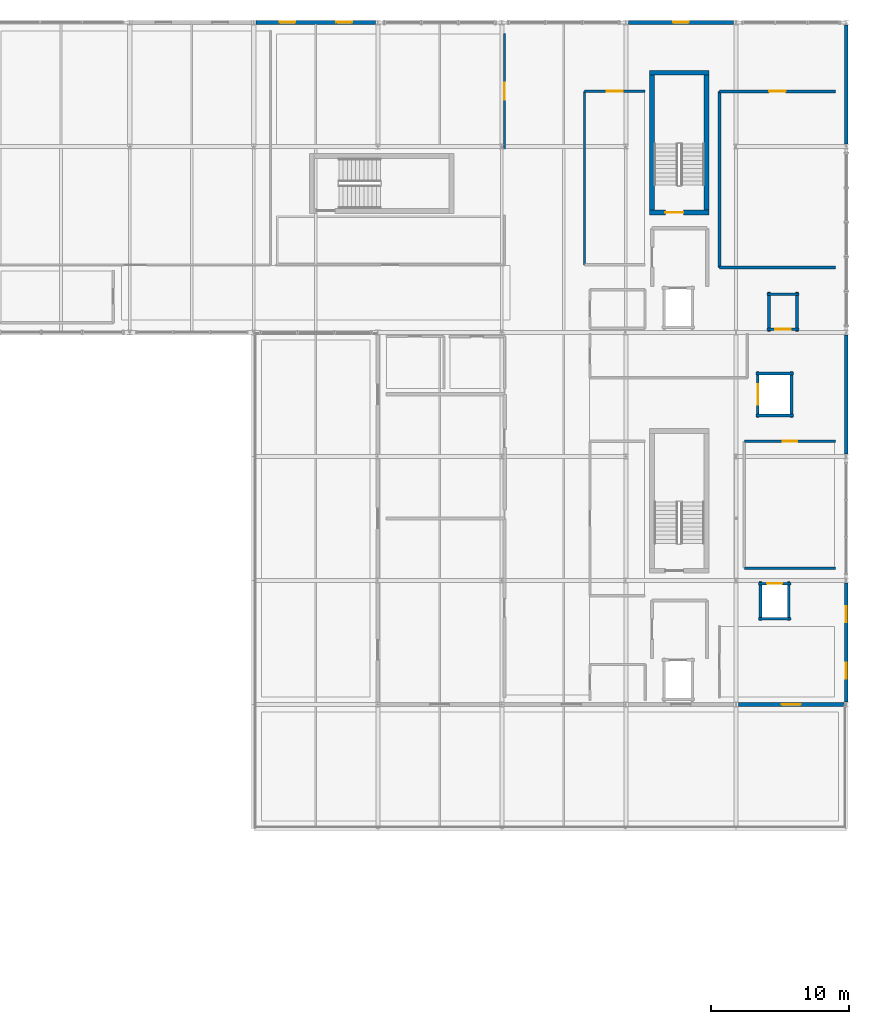
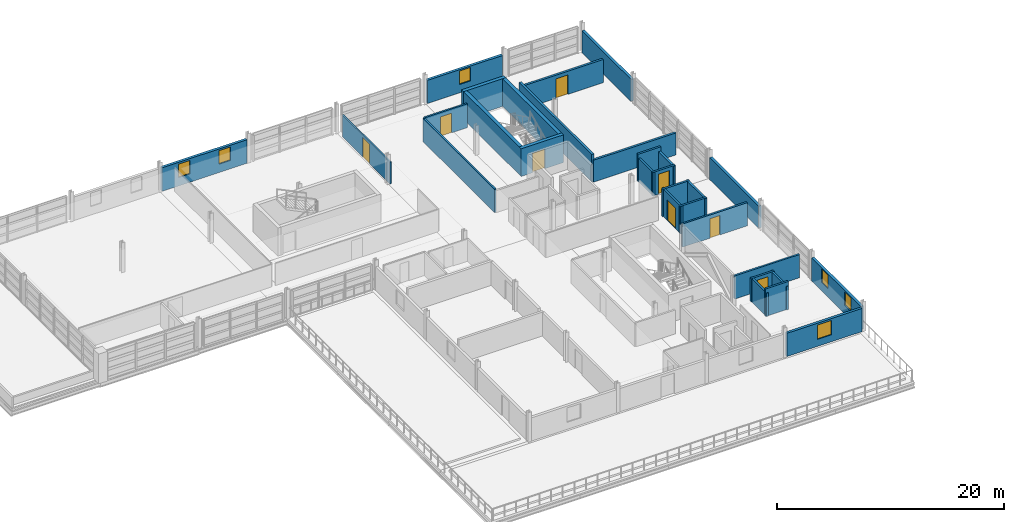
# One storey, part 24 of 30: 30 walls, 8 doors, 6 windows, 14 openings.
"""IFC4 building model written with IfcOpenShell, lengths in metres."""

from ifc_helpers import new_model, si_unit, direction, frame, frame_2d, origin, place, context, subcontext, project, spatial, rectangle, extrude, material, layer, layer_set, type_object, element, fill, save


model = new_model("IFC4")

# Units and contexts
model_context = context("Model", 3, precision=1e-05, world=origin(), true_north=direction((0.0, 1.0)))
body_context = subcontext(model_context, "Body", "Model", "MODEL_VIEW")
ifc_project = project(units=[si_unit("LENGTHUNIT", "METRE"), si_unit("AREAUNIT", "SQUARE_METRE"), si_unit("VOLUMEUNIT", "CUBIC_METRE"), si_unit("PLANEANGLEUNIT", "RADIAN"), si_unit("MASSUNIT", "GRAM", prefix="KILO")], contexts=[model_context])

# Site, building, storey
site_placement = place(None, origin())
site = spatial("IfcSite", under=ifc_project, at=site_placement, CompositionType="ELEMENT")
building_placement = place(site_placement, origin())
building = spatial("IfcBuilding", under=site, at=building_placement, Name="Chuanluo Vaults Station", CompositionType="ELEMENT")
storey_placement = place(building_placement, frame((0.0, 0.0, 17.60009765625)))
storey = spatial("IfcBuildingStorey", under=building, at=storey_placement, Name="L04", CompositionType="ELEMENT", Elevation=17.60009765625)

# Walls
ifc_material_1 = material(Name="Concrete C50", Category="concrete")
ifc_layer_1 = layer(ifc_material_1, 0.35009765625)
ifc_layer_set_1 = layer_set([ifc_layer_1], Name="Concrete C50")
wall_type_1 = type_object("IfcWallType", Name="WL-COR-350", PredefinedType="SHEAR", material=ifc_layer_set_1)
for number, where, z_axis, x_axis, name in (
    (1, (177.862548828125, 112.02490234375, 0.0), (0.0, 0.0, 1.0), (0.0, 1.0, 0.0), "Core K2 left shear wall"),
    (2, (173.892578125, 122.5224609375, 0.0), (0.0, 0.0, 1.0), (0.0, -1.0, 0.0), "Core K2 right shear wall"),
):
    element("IfcWall", number, at=place(storey_placement, frame(where, z_axis=z_axis, x_axis=x_axis)), inside=storey, type_object=wall_type_1, Name=name, PredefinedType="SHEAR", context=body_context, shape_type="SweptSolid", body=[
        extrude(rectangle(XDim=10.49755859375, YDim=0.35009765625, at=frame_2d((5.248779296875, 0.0))), origin(), (0.0, 0.0, 1.0), 2.97998046875),
    ])
wall_1_placement = place(storey_placement, frame((178.03759765625, 122.347412109375, 0.0), z_axis=(0.0, 0.0, 1.0), x_axis=(-1.0, 0.0, 0.0)))
element("IfcWall", 3, at=wall_1_placement, inside=storey, type_object=wall_type_1, Name="Core K2 far shear wall", PredefinedType="SHEAR", context=body_context, shape_type="SweptSolid", body=[
    extrude(rectangle(XDim=4.320068359375, YDim=0.35009765625, at=frame_2d((2.16015625, 0.0))), origin(), (0.0, 0.0, 1.0), 2.97998046875),
])

# Wall, opening, door
wall_2_placement = place(storey_placement, frame((173.717529296875, 112.199951171875, 0.0), z_axis=(0.0, 0.0, 1.0), x_axis=(1.0, 0.0, 0.0)))
wall_2 = element("IfcWall", 4, at=wall_2_placement, inside=storey, type_object=wall_type_1, Name="Core K2 near shear wall", PredefinedType="SHEAR", context=body_context, shape_type="SweptSolid", body=[
    extrude(rectangle(XDim=4.320068359375, YDim=0.35009765625, at=frame_2d((2.16015625, 0.0))), origin(), (0.0, 0.0, 1.0), 2.97998046875),
])
opening_1_placement = place(wall_2_placement, frame((1.14990234375, 0.0, 0.0)))
opening_1 = element("IfcOpeningElement", 5, at=opening_1_placement, cuts=wall_2, Name="Opening FD-05", PredefinedType="OPENING", context=body_context, shape_type="SweptSolid", body=[
    extrude(rectangle(XDim=1.300048828125, YDim=2.10009765625, at=frame_2d((0.64990234375, 1.050048828125))), frame((0.0, 0.18505, 0.0), z_axis=(0.0, -1.0, 0.0), x_axis=(1.0, 0.0, 0.0)), (0.0, 0.0, 1.0), 0.3701),
])
ifc_material_2 = material(Name="Fire-rated steel leaf", Category="steel")
door_type_1 = type_object("IfcDoorType", Name="DR-FIR-1300x2100", OperationType="NOTDEFINED", PredefinedType="DOOR", material=ifc_material_2)
door_1_placement = place(opening_1_placement, origin())
door_1 = element("IfcDoor", 6, at=door_1_placement, inside=storey, type_object=door_type_1, Name="D-070 Stair ST-02 fire door", OperationType="SINGLE_SWING_LEFT", OverallHeight=2.10009765625, OverallWidth=1.300048828125, PredefinedType="DOOR", context=body_context, shape_type="SweptSolid", body=[
    extrude(rectangle(XDim=1.300048828125, YDim=2.10009765625, at=frame_2d((0.64990234375, 1.050048828125))), frame((0.0, 0.02490234375, 0.0), z_axis=(0.0, -1.0, 0.0), x_axis=(1.0, 0.0, 0.0)), (0.0, 0.0, 1.0), 0.050048828125),
])
fill(opening_1, door_1)

# Wall, opening, window
ifc_material_3 = material(Name="Concrete C40", Category="concrete")
ifc_layer_2 = layer(ifc_material_3, 0.260009765625)
ifc_layer_set_2 = layer_set([ifc_layer_2], Name="Concrete C40")
wall_type_2 = type_object("IfcWallType", Name="WL-EXT-260", PredefinedType="SOLIDWALL", material=ifc_layer_set_2)
wall_3_placement = place(storey_placement, frame((187.824951171875, 76.5, 0.0), z_axis=(0.0, 0.0, 1.0), x_axis=(-1.0, 0.0, 0.0)))
wall_3 = element("IfcWall", 7, at=wall_3_placement, inside=storey, type_object=wall_type_2, Name="L04 south terrace wall 1A", PredefinedType="SOLIDWALL", context=body_context, shape_type="SweptSolid", body=[
    extrude(rectangle(XDim=7.64990234375, YDim=0.260009765625, at=frame_2d((3.824951171875, 0.0))), origin(), (0.0, 0.0, 1.0), 2.494873046875),
])
opening_2_placement = place(wall_3_placement, frame((3.125, 0.0, 0.75)))
opening_2 = element("IfcOpeningElement", 8, at=opening_2_placement, cuts=wall_3, Name="Opening W-41", PredefinedType="OPENING", context=body_context, shape_type="SweptSolid", body=[
    extrude(rectangle(XDim=1.39990234375, YDim=1.550048828125, at=frame_2d((0.699951171875, 0.77490234375))), frame((0.0, 0.13988, 0.0), z_axis=(0.0, -1.0, 0.0), x_axis=(1.0, 0.0, 0.0)), (0.0, 0.0, 1.0), 0.28001),
])
ifc_material_4 = material(Name="Double-silver Low-E laminated glass", Category="glass")
window_type_1 = type_object("IfcWindowType", Name="WN-OPS-1400x1550", PartitioningType="SINGLE_PANEL", PredefinedType="WINDOW", material=ifc_material_4)
window_1_placement = place(opening_2_placement, origin())
window_1 = element("IfcWindow", 9, at=window_1_placement, inside=storey, type_object=window_type_1, Name="W-122 L04 south terrace wall 1A window", OverallHeight=1.550048828125, OverallWidth=1.39990234375, PartitioningType="SINGLE_PANEL", PredefinedType="WINDOW", context=body_context, shape_type="SweptSolid", body=[
    extrude(rectangle(XDim=1.39990234375, YDim=1.550048828125, at=frame_2d((0.699951171875, 0.77490234375))), frame((0.0, 0.030029296875, 0.0), z_axis=(0.0, -1.0, 0.0), x_axis=(1.0, 0.0, 0.0)), (0.0, 0.0, 1.0), 0.06005859375),
])
fill(opening_2, window_1)

# Wall, openings, windows
ifc_material_5 = material(Name="Concrete C40", Category="concrete")
ifc_layer_3 = layer(ifc_material_5, 0.27001953125)
ifc_layer_set_3 = layer_set([ifc_layer_3], Name="Concrete C40")
wall_type_3 = type_object("IfcWallType", Name="WL-EXT-270", PredefinedType="SOLIDWALL", material=ifc_layer_set_3)
wall_4_placement = place(storey_placement, frame((145.175048828125, 126.0, 0.0), z_axis=(0.0, 0.0, 1.0), x_axis=(1.0, 0.0, 0.0)))
wall_4 = element("IfcWall", 10, at=wall_4_placement, inside=storey, type_object=wall_type_3, Name="L04 exterior punched wall 24", PredefinedType="SOLIDWALL", context=body_context, shape_type="SweptSolid", body=[
    extrude(rectangle(XDim=8.64990234375, YDim=0.27001953125, at=frame_2d((4.324951171875, 0.0))), origin(), (0.0, 0.0, 1.0), 2.534912109375),
])
opening_3_placement = place(wall_4_placement, frame((1.68994140625, 0.0, 0.89990234375)))
opening_3 = element("IfcOpeningElement", 11, at=opening_3_placement, cuts=wall_4, Name="Opening W-49", PredefinedType="OPENING", context=body_context, shape_type="SweptSolid", body=[
    extrude(rectangle(XDim=1.14990234375, YDim=1.449951171875, at=frame_2d((0.574951171875, 0.72509765625))), frame((0.0, 0.14501, 0.0), z_axis=(0.0, -1.0, 0.0), x_axis=(1.0, 0.0, 0.0)), (0.0, 0.0, 1.0), 0.29002),
])
opening_4_placement = place(wall_4_placement, frame((5.81005859375, 0.0, 0.89990234375)))
opening_4 = element("IfcOpeningElement", 12, at=opening_4_placement, cuts=wall_4, Name="Opening W-49", PredefinedType="OPENING", context=body_context, shape_type="SweptSolid", body=[
    extrude(rectangle(XDim=1.14990234375, YDim=1.449951171875, at=frame_2d((0.574951171875, 0.72509765625))), frame((0.0, 0.14501, 0.0), z_axis=(0.0, -1.0, 0.0), x_axis=(1.0, 0.0, 0.0)), (0.0, 0.0, 1.0), 0.29002),
])
ifc_material_6 = material(Name="Double-silver Low-E laminated glass", Category="glass")
window_type_2 = type_object("IfcWindowType", Name="WN-OPS-1150x1450", PartitioningType="SINGLE_PANEL", PredefinedType="WINDOW", material=ifc_material_6)
window_2_placement = place(opening_3_placement, origin())
window_2 = element("IfcWindow", 13, at=window_2_placement, inside=storey, type_object=window_type_2, Name="W-100 L04 facade window", OverallHeight=1.449951171875, OverallWidth=1.14990234375, PartitioningType="SINGLE_PANEL", PredefinedType="WINDOW", context=body_context, shape_type="SweptSolid", body=[
    extrude(rectangle(XDim=1.14990234375, YDim=1.449951171875, at=frame_2d((0.574951171875, 0.72509765625))), frame((0.0, 0.030029296875, 0.0), z_axis=(0.0, -1.0, 0.0), x_axis=(1.0, 0.0, 0.0)), (0.0, 0.0, 1.0), 0.06005859375),
])
fill(opening_3, window_2)
window_3_placement = place(opening_4_placement, origin())
window_3 = element("IfcWindow", 14, at=window_3_placement, inside=storey, type_object=window_type_2, Name="W-101 L04 facade window", OverallHeight=1.449951171875, OverallWidth=1.14990234375, PartitioningType="SINGLE_PANEL", PredefinedType="WINDOW", context=body_context, shape_type="SweptSolid", body=[
    extrude(rectangle(XDim=1.14990234375, YDim=1.449951171875, at=frame_2d((0.574951171875, 0.72509765625))), frame((0.0, 0.030029296875, 0.0), z_axis=(0.0, -1.0, 0.0), x_axis=(1.0, 0.0, 0.0)), (0.0, 0.0, 1.0), 0.06005859375),
])
fill(opening_4, window_3)

# Wall, opening, window
wall_5_placement = place(storey_placement, frame((172.175048828125, 126.0, 0.0), z_axis=(0.0, 0.0, 1.0), x_axis=(1.0, 0.0, 0.0)))
wall_5 = element("IfcWall", 15, at=wall_5_placement, inside=storey, type_object=wall_type_3, Name="L04 exterior punched wall 25", PredefinedType="SOLIDWALL", context=body_context, shape_type="SweptSolid", body=[
    extrude(rectangle(XDim=7.64990234375, YDim=0.27001953125, at=frame_2d((3.824951171875, 0.0))), origin(), (0.0, 0.0, 1.0), 2.494873046875),
])
opening_5_placement = place(wall_5_placement, frame((3.25, 0.0, 0.89990234375)))
opening_5 = element("IfcOpeningElement", 16, at=opening_5_placement, cuts=wall_5, Name="Opening W-49", PredefinedType="OPENING", context=body_context, shape_type="SweptSolid", body=[
    extrude(rectangle(XDim=1.14990234375, YDim=1.449951171875, at=frame_2d((0.574951171875, 0.72509765625))), frame((0.0, 0.14501, 0.0), z_axis=(0.0, -1.0, 0.0), x_axis=(1.0, 0.0, 0.0)), (0.0, 0.0, 1.0), 0.29002),
])
window_4_placement = place(opening_5_placement, origin())
window_4 = element("IfcWindow", 17, at=window_4_placement, inside=storey, type_object=window_type_2, Name="W-102 L04 facade window", OverallHeight=1.449951171875, OverallWidth=1.14990234375, PartitioningType="SINGLE_PANEL", PredefinedType="WINDOW", context=body_context, shape_type="SweptSolid", body=[
    extrude(rectangle(XDim=1.14990234375, YDim=1.449951171875, at=frame_2d((0.574951171875, 0.72509765625))), frame((0.0, 0.030029296875, 0.0), z_axis=(0.0, -1.0, 0.0), x_axis=(1.0, 0.0, 0.0)), (0.0, 0.0, 1.0), 0.06005859375),
])
fill(opening_5, window_4)

# Wall, openings, windows
wall_6_placement = place(storey_placement, frame((188.0, 85.324951171875, 0.0), z_axis=(0.0, 0.0, 1.0), x_axis=(0.0, -1.0, 0.0)))
wall_6 = element("IfcWall", 18, at=wall_6_placement, inside=storey, type_object=wall_type_3, Name="L04 exterior punched wall 26", PredefinedType="SOLIDWALL", context=body_context, shape_type="SweptSolid", body=[
    extrude(rectangle(XDim=8.64990234375, YDim=0.27001953125, at=frame_2d((4.324951171875, 0.0))), origin(), (0.0, 0.0, 1.0), 2.494873046875),
])
opening_6_placement = place(wall_6_placement, frame((1.68994140625, 0.0, 0.89990234375)))
opening_6 = element("IfcOpeningElement", 19, at=opening_6_placement, cuts=wall_6, Name="Opening W-49", PredefinedType="OPENING", context=body_context, shape_type="SweptSolid", body=[
    extrude(rectangle(XDim=1.14990234375, YDim=1.449951171875, at=frame_2d((0.574951171875, 0.72509765625))), frame((0.0, 0.14501, 0.0), z_axis=(0.0, -1.0, 0.0), x_axis=(1.0, 0.0, 0.0)), (0.0, 0.0, 1.0), 0.29002),
])
opening_7_placement = place(wall_6_placement, frame((5.81005859375, 0.0, 0.89990234375)))
opening_7 = element("IfcOpeningElement", 20, at=opening_7_placement, cuts=wall_6, Name="Opening W-49", PredefinedType="OPENING", context=body_context, shape_type="SweptSolid", body=[
    extrude(rectangle(XDim=1.14990234375, YDim=1.449951171875, at=frame_2d((0.574951171875, 0.72509765625))), frame((0.0, 0.14501, 0.0), z_axis=(0.0, -1.0, 0.0), x_axis=(1.0, 0.0, 0.0)), (0.0, 0.0, 1.0), 0.29002),
])
window_5_placement = place(opening_6_placement, origin())
window_5 = element("IfcWindow", 21, at=window_5_placement, inside=storey, type_object=window_type_2, Name="W-103 L04 facade window", OverallHeight=1.449951171875, OverallWidth=1.14990234375, PartitioningType="SINGLE_PANEL", PredefinedType="WINDOW", context=body_context, shape_type="SweptSolid", body=[
    extrude(rectangle(XDim=1.14990234375, YDim=1.449951171875, at=frame_2d((0.574951171875, 0.72509765625))), frame((0.0, 0.030029296875, 0.0), z_axis=(0.0, -1.0, 0.0), x_axis=(1.0, 0.0, 0.0)), (0.0, 0.0, 1.0), 0.06005859375),
])
fill(opening_6, window_5)
window_6_placement = place(opening_7_placement, origin())
window_6 = element("IfcWindow", 22, at=window_6_placement, inside=storey, type_object=window_type_2, Name="W-104 L04 facade window", OverallHeight=1.449951171875, OverallWidth=1.14990234375, PartitioningType="SINGLE_PANEL", PredefinedType="WINDOW", context=body_context, shape_type="SweptSolid", body=[
    extrude(rectangle(XDim=1.14990234375, YDim=1.449951171875, at=frame_2d((0.574951171875, 0.72509765625))), frame((0.0, 0.030029296875, 0.0), z_axis=(0.0, -1.0, 0.0), x_axis=(1.0, 0.0, 0.0)), (0.0, 0.0, 1.0), 0.06005859375),
])
fill(opening_7, window_6)

# Walls
for number, where, z_axis, x_axis, name in (
    (23, (188.0, 103.324951171875, 0.0), (0.0, 0.0, 1.0), (0.0, -1.0, 0.0), "L04 exterior punched wall 27"),
    (24, (188.0, 125.824951171875, 0.0), (0.0, 0.0, 1.0), (0.0, -1.0, 0.0), "L04 exterior punched wall 28"),
):
    element("IfcWall", number, at=place(storey_placement, frame(where, z_axis=z_axis, x_axis=x_axis)), inside=storey, type_object=wall_type_3, Name=name, PredefinedType="SOLIDWALL", context=body_context, shape_type="SweptSolid", body=[
        extrude(rectangle(XDim=8.64990234375, YDim=0.27001953125, at=frame_2d((4.324951171875, 0.0))), origin(), (0.0, 0.0, 1.0), 2.375),
    ])
ifc_material_7 = material(Name="Concrete C40", Category="concrete")
ifc_layer_4 = layer(ifc_material_7, 0.219970703125)
ifc_layer_set_4 = layer_set([ifc_layer_4], Name="Concrete C40")
wall_type_4 = type_object("IfcWallType", Name="WL-FIR-220", PredefinedType="SOLIDWALL", material=ifc_layer_set_4)
wall_7_placement = place(storey_placement, frame((187.199951171875, 108.199951171875, 0.0), z_axis=(0.0, 0.0, 1.0), x_axis=(-1.0, 0.0, 0.0)))
element("IfcWall", 25, at=wall_7_placement, inside=storey, type_object=wall_type_4, Name="L04-13 East Signalling Equipment Room S partition", PredefinedType="SOLIDWALL", context=body_context, shape_type="SweptSolid", body=[
    extrude(rectangle(XDim=8.39990234375, YDim=0.219970703125, at=frame_2d((4.199951171875, 0.0))), origin(), (0.0, 0.0, 1.0), 2.35498046875),
])

# Wall, opening, door
wall_8_placement = place(storey_placement, frame((178.800048828125, 121.0, 0.0), z_axis=(0.0, 0.0, 1.0), x_axis=(1.0, 0.0, 0.0)))
wall_8 = element("IfcWall", 26, at=wall_8_placement, inside=storey, type_object=wall_type_4, Name="L04-13 East Signalling Equipment Room N partition", PredefinedType="SOLIDWALL", context=body_context, shape_type="SweptSolid", body=[
    extrude(rectangle(XDim=8.39990234375, YDim=0.219970703125, at=frame_2d((4.199951171875, 0.0))), origin(), (0.0, 0.0, 1.0), 2.494873046875),
])
opening_8_placement = place(wall_8_placement, frame((3.60009765625, 0.0, 0.0)))
opening_8 = element("IfcOpeningElement", 27, at=opening_8_placement, cuts=wall_8, Name="Opening FD-06", PredefinedType="OPENING", context=body_context, shape_type="SweptSolid", body=[
    extrude(rectangle(XDim=1.199951171875, YDim=2.10009765625, at=frame_2d((0.60009765625, 1.050048828125))), frame((0.0, 0.11986, 0.0), z_axis=(0.0, -1.0, 0.0), x_axis=(1.0, 0.0, 0.0)), (0.0, 0.0, 1.0), 0.23997),
])
ifc_material_8 = material(Name="Fire-rated steel leaf", Category="steel")
door_type_2 = type_object("IfcDoorType", Name="DR-FIR-1200x2100", OperationType="NOTDEFINED", PredefinedType="DOOR", material=ifc_material_8)
door_2_placement = place(opening_8_placement, origin())
door_2 = element("IfcDoor", 28, at=door_2_placement, inside=storey, type_object=door_type_2, Name="D-249 East Signalling Equipment Room door", OperationType="SINGLE_SWING_RIGHT", OverallHeight=2.10009765625, OverallWidth=1.199951171875, PredefinedType="DOOR", context=body_context, shape_type="SweptSolid", body=[
    extrude(rectangle(XDim=1.199951171875, YDim=2.10009765625, at=frame_2d((0.60009765625, 1.050048828125))), frame((0.0, 0.02490234375, 0.0), z_axis=(0.0, -1.0, 0.0), x_axis=(1.0, 0.0, 0.0)), (0.0, 0.0, 1.0), 0.050048828125),
])
fill(opening_8, door_2)

# Wall
wall_9_placement = place(storey_placement, frame((178.800048828125, 108.199951171875, 0.0), z_axis=(0.0, 0.0, 1.0), x_axis=(0.0, 1.0, 0.0)))
element("IfcWall", 29, at=wall_9_placement, inside=storey, type_object=wall_type_4, Name="L04-13 East Signalling Equipment Room W partition", PredefinedType="SOLIDWALL", context=body_context, shape_type="SweptSolid", body=[
    extrude(rectangle(XDim=12.800048828125, YDim=0.219970703125, at=frame_2d((6.39990234375, 0.0))), origin(), (0.0, 0.0, 1.0), 2.954833984375),
])

# Wall, opening, door
ifc_material_9 = material(Name="Autoclaved aerated concrete blockwork MU10", Category="masonry")
ifc_layer_5 = layer(ifc_material_9, 0.14990234375)
ifc_layer_set_5 = layer_set([ifc_layer_5], Name="Autoclaved aerated concrete blockwork MU10")
wall_type_5 = type_object("IfcWallType", Name="WL-PRT-150", PredefinedType="PARTITIONING", material=ifc_layer_set_5)
wall_10_placement = place(storey_placement, frame((163.199951171875, 125.199951171875, 0.0), z_axis=(0.0, 0.0, 1.0), x_axis=(0.0, -1.0, 0.0)))
wall_10 = element("IfcWall", 30, at=wall_10_placement, inside=storey, type_object=wall_type_5, Name="L04-04 Crisis Incident Command Bridge E partition", PredefinedType="PARTITIONING", context=body_context, shape_type="SweptSolid", body=[
    extrude(rectangle(XDim=8.39990234375, YDim=0.14990234375, at=frame_2d((4.199951171875, 0.0))), origin(), (0.0, 0.0, 1.0), 2.35498046875),
])
opening_9_placement = place(wall_10_placement, frame((3.574951171875, 0.0, 0.0)))
opening_9 = element("IfcOpeningElement", 31, at=opening_9_placement, cuts=wall_10, Name="Opening D-I05", PredefinedType="OPENING", context=body_context, shape_type="SweptSolid", body=[
    extrude(rectangle(XDim=1.25, YDim=2.10009765625, at=frame_2d((0.625, 1.050048828125))), frame((0.0, 0.08495, 0.0), z_axis=(0.0, -1.0, 0.0), x_axis=(1.0, 0.0, 0.0)), (0.0, 0.0, 1.0), 0.1699),
])
ifc_material_10 = material(Name="Anodised aluminium 6063-T6", Category="aluminium")
door_type_3 = type_object("IfcDoorType", Name="DR-INT-1250x2100", OperationType="NOTDEFINED", PredefinedType="DOOR", material=ifc_material_10)
door_3_placement = place(opening_9_placement, origin())
door_3 = element("IfcDoor", 32, at=door_3_placement, inside=storey, type_object=door_type_3, Name="D-240 Crisis Incident Command Bridge door", OperationType="SINGLE_SWING_LEFT", OverallHeight=2.10009765625, OverallWidth=1.25, PredefinedType="DOOR", context=body_context, shape_type="SweptSolid", body=[
    extrude(rectangle(XDim=1.25, YDim=2.10009765625, at=frame_2d((0.625, 1.050048828125))), frame((0.0, 0.02490234375, 0.0), z_axis=(0.0, -1.0, 0.0), x_axis=(1.0, 0.0, 0.0)), (0.0, 0.0, 1.0), 0.050048828125),
])
fill(opening_9, door_3)

ifc_material_11 = material(Name="Autoclaved aerated concrete blockwork MU10", Category="masonry")
ifc_layer_6 = layer(ifc_material_11, 0.175048828125)
ifc_layer_set_6 = layer_set([ifc_layer_6], Name="Autoclaved aerated concrete blockwork MU10")
wall_type_6 = type_object("IfcWallType", Name="WL-PRT-175", PredefinedType="PARTITIONING", material=ifc_layer_set_6)
wall_11_placement = place(storey_placement, frame((169.0, 121.0, 0.0), z_axis=(0.0, 0.0, 1.0), x_axis=(1.0, 0.0, 0.0)))
wall_11 = element("IfcWall", 33, at=wall_11_placement, inside=storey, type_object=wall_type_6, Name="L04-16 Regional Timetable Planning Office N partition", PredefinedType="PARTITIONING", context=body_context, shape_type="SweptSolid", body=[
    extrude(rectangle(XDim=4.39990234375, YDim=0.175048828125, at=frame_2d((2.199951171875, 0.0))), origin(), (0.0, 0.0, 1.0), 2.56494140625),
])
opening_10_placement = place(wall_11_placement, frame((1.625, 0.0, 0.0)))
opening_10 = element("IfcOpeningElement", 34, at=opening_10_placement, cuts=wall_11, Name="Opening D-I06", PredefinedType="OPENING", context=body_context, shape_type="SweptSolid", body=[
    extrude(rectangle(XDim=1.14990234375, YDim=2.10009765625, at=frame_2d((0.574951171875, 1.050048828125))), frame((0.0, 0.0974, 0.0), z_axis=(0.0, -1.0, 0.0), x_axis=(1.0, 0.0, 0.0)), (0.0, 0.0, 1.0), 0.19505),
])
ifc_material_12 = material(Name="Anodised aluminium 6063-T6", Category="aluminium")
door_type_4 = type_object("IfcDoorType", Name="DR-INT-1150x2100", OperationType="NOTDEFINED", PredefinedType="DOOR", material=ifc_material_12)
door_4_placement = place(opening_10_placement, origin())
door_4 = element("IfcDoor", 35, at=door_4_placement, inside=storey, type_object=door_type_4, Name="D-252 Regional Timetable Planning Office door", OperationType="SINGLE_SWING_LEFT", OverallHeight=2.10009765625, OverallWidth=1.14990234375, PredefinedType="DOOR", context=body_context, shape_type="SweptSolid", body=[
    extrude(rectangle(XDim=1.14990234375, YDim=2.10009765625, at=frame_2d((0.574951171875, 1.050048828125))), frame((0.0, 0.02490234375, 0.0), z_axis=(0.0, -1.0, 0.0), x_axis=(1.0, 0.0, 0.0)), (0.0, 0.0, 1.0), 0.050048828125),
])
fill(opening_10, door_4)

# Walls
wall_12_placement = place(storey_placement, frame((169.0, 108.39990234375, 0.0), z_axis=(0.0, 0.0, 1.0), x_axis=(0.0, 1.0, 0.0)))
element("IfcWall", 36, at=wall_12_placement, inside=storey, type_object=wall_type_6, Name="L04-16 Regional Timetable Planning Office W partition", PredefinedType="PARTITIONING", context=body_context, shape_type="SweptSolid", body=[
    extrude(rectangle(XDim=12.60009765625, YDim=0.175048828125, at=frame_2d((6.300048828125, 0.0))), origin(), (0.0, 0.0, 1.0), 2.514892578125),
])
ifc_material_13 = material(Name="Autoclaved aerated concrete blockwork MU10", Category="masonry")
ifc_layer_7 = layer(ifc_material_13, 0.18994140625)
ifc_layer_set_7 = layer_set([ifc_layer_7], Name="Autoclaved aerated concrete blockwork MU10")
wall_type_7 = type_object("IfcWallType", Name="WL-PRT-190", PredefinedType="PARTITIONING", material=ifc_layer_set_7)
wall_13_placement = place(storey_placement, frame((187.199951171875, 86.39990234375, 0.0), z_axis=(0.0, 0.0, 1.0), x_axis=(-1.0, 0.0, 0.0)))
element("IfcWall", 37, at=wall_13_placement, inside=storey, type_object=wall_type_7, Name="L04-09 Duty Controller Rest Suite S partition", PredefinedType="PARTITIONING", context=body_context, shape_type="SweptSolid", body=[
    extrude(rectangle(XDim=6.599853515625, YDim=0.18994140625, at=frame_2d((3.2998046875, 0.0))), origin(), (0.0, 0.0, 1.0), 2.494873046875),
])

# Wall, opening, door
wall_14_placement = place(storey_placement, frame((180.60009765625, 95.60009765625, 0.0), z_axis=(0.0, 0.0, 1.0), x_axis=(1.0, 0.0, 0.0)))
wall_14 = element("IfcWall", 38, at=wall_14_placement, inside=storey, type_object=wall_type_7, Name="L04-09 Duty Controller Rest Suite N partition", PredefinedType="PARTITIONING", context=body_context, shape_type="SweptSolid", body=[
    extrude(rectangle(XDim=6.599853515625, YDim=0.18994140625, at=frame_2d((3.2998046875, 0.0))), origin(), (0.0, 0.0, 1.0), 2.494873046875),
])
opening_11_placement = place(wall_14_placement, frame((2.77490234375, 0.0, 0.0)))
opening_11 = element("IfcOpeningElement", 39, at=opening_11_placement, cuts=wall_14, Name="Opening D-I07", PredefinedType="OPENING", context=body_context, shape_type="SweptSolid", body=[
    extrude(rectangle(XDim=1.050048828125, YDim=2.10009765625, at=frame_2d((0.52490234375, 1.050048828125))), frame((0.0, 0.10497, 0.0), z_axis=(0.0, -1.0, 0.0), x_axis=(1.0, 0.0, 0.0)), (0.0, 0.0, 1.0), 0.20994),
])
ifc_material_14 = material(Name="Anodised aluminium 6063-T6", Category="aluminium")
door_type_5 = type_object("IfcDoorType", Name="DR-INT-1050x2100", OperationType="NOTDEFINED", PredefinedType="DOOR", material=ifc_material_14)
door_5_placement = place(opening_11_placement, origin())
door_5 = element("IfcDoor", 40, at=door_5_placement, inside=storey, type_object=door_type_5, Name="D-243 Duty Controller Rest Suite door", OperationType="SINGLE_SWING_RIGHT", OverallHeight=2.10009765625, OverallWidth=1.050048828125, PredefinedType="DOOR", context=body_context, shape_type="SweptSolid", body=[
    extrude(rectangle(XDim=1.050048828125, YDim=2.10009765625, at=frame_2d((0.52490234375, 1.050048828125))), frame((0.0, 0.02490234375, 0.0), z_axis=(0.0, -1.0, 0.0), x_axis=(1.0, 0.0, 0.0)), (0.0, 0.0, 1.0), 0.050048828125),
])
fill(opening_11, door_5)

# Wall
ifc_material_15 = material(Name="Concrete C40", Category="concrete")
ifc_layer_8 = layer(ifc_material_15, 0.199951171875)
ifc_layer_set_8 = layer_set([ifc_layer_8], Name="Concrete C40")
wall_type_8 = type_object("IfcWallType", Name="WL-SHF-200", PredefinedType="SOLIDWALL", material=ifc_layer_set_8)
wall_15_placement = place(storey_placement, frame((181.6298828125, 82.72998046875, 0.0), z_axis=(0.0, 0.0, 1.0), x_axis=(1.0, 0.0, 0.0)))
element("IfcWall", 41, at=wall_15_placement, inside=storey, type_object=wall_type_8, Name="Lift EL-03 shaft wall L04 -Y", PredefinedType="SOLIDWALL", context=body_context, shape_type="SweptSolid", body=[
    extrude(rectangle(XDim=2.340087890625, YDim=0.199951171875, at=frame_2d((1.169921875, 0.0))), origin(), (0.0, 0.0, 1.0), 2.954833984375),
])

# Wall, opening, door
wall_16_placement = place(storey_placement, frame((183.969970703125, 85.27001953125, 0.0), z_axis=(0.0, 0.0, 1.0), x_axis=(-1.0, 0.0, 0.0)))
wall_16 = element("IfcWall", 42, at=wall_16_placement, inside=storey, type_object=wall_type_8, Name="Lift EL-03 shaft wall L04 +Y", PredefinedType="SOLIDWALL", context=body_context, shape_type="SweptSolid", body=[
    extrude(rectangle(XDim=2.340087890625, YDim=0.199951171875, at=frame_2d((1.169921875, 0.0))), origin(), (0.0, 0.0, 1.0), 2.514892578125),
])
opening_12_placement = place(wall_16_placement, frame((0.6201171875, 0.0, 0.0)))
opening_12 = element("IfcOpeningElement", 43, at=opening_12_placement, cuts=wall_16, Name="Opening LD-01", PredefinedType="OPENING", context=body_context, shape_type="SweptSolid", body=[
    extrude(rectangle(XDim=1.10009765625, YDim=2.14990234375, at=frame_2d((0.550048828125, 1.074951171875))), frame((0.0, 0.1101, 0.0), z_axis=(0.0, -1.0, 0.0), x_axis=(1.0, 0.0, 0.0)), (0.0, 0.0, 1.0), 0.21995),
])
ifc_material_16 = material(Name="Brushed stainless steel 304", Category="steel")
door_type_6 = type_object("IfcDoorType", Name="DR-LFT-1100x2150", OperationType="SLIDING_TO_LEFT", PredefinedType="DOOR", material=ifc_material_16)
door_6_placement = place(opening_12_placement, origin())
door_6 = element("IfcDoor", 44, at=door_6_placement, inside=storey, type_object=door_type_6, Name="LD-EL-03-06 Lift EL-03 sliding landing door L04", OperationType="SLIDING_TO_LEFT", OverallHeight=2.14990234375, OverallWidth=1.10009765625, PredefinedType="DOOR", context=body_context, shape_type="SweptSolid", body=[
    extrude(rectangle(XDim=1.10009765625, YDim=2.14990234375, at=frame_2d((0.550048828125, 1.074951171875))), frame((0.0, 0.02490234375, 0.0), z_axis=(0.0, -1.0, 0.0), x_axis=(1.0, 0.0, 0.0)), (0.0, 0.0, 1.0), 0.050048828125),
])
fill(opening_12, door_6)

# Walls
for number, where, z_axis, x_axis, name in (
    (45, (181.780029296875, 85.419921875, 0.0), (0.0, 0.0, 1.0), (0.0, -1.0, 0.0), "Lift EL-03 shaft wall L04 -X"),
    (46, (183.820068359375, 82.580078125, 0.0), (0.0, 0.0, 1.0), (0.0, 1.0, 0.0), "Lift EL-03 shaft wall L04 +X"),
):
    element("IfcWall", number, at=place(storey_placement, frame(where, z_axis=z_axis, x_axis=x_axis)), inside=storey, type_object=wall_type_8, Name=name, PredefinedType="SOLIDWALL", context=body_context, shape_type="SweptSolid", body=[
        extrude(rectangle(XDim=2.83984375, YDim=0.199951171875, at=frame_2d((1.419921875, 0.0))), origin(), (0.0, 0.0, 1.0), 2.514892578125),
    ])

# Wall, opening, door
wall_17_placement = place(storey_placement, frame((182.22998046875, 103.72998046875, 0.0), z_axis=(0.0, 0.0, 1.0), x_axis=(1.0, 0.0, 0.0)))
wall_17 = element("IfcWall", 47, at=wall_17_placement, inside=storey, type_object=wall_type_8, Name="Lift EL-04 shaft wall L04 -Y", PredefinedType="SOLIDWALL", context=body_context, shape_type="SweptSolid", body=[
    extrude(rectangle(XDim=2.340087890625, YDim=0.199951171875, at=frame_2d((1.169921875, 0.0))), origin(), (0.0, 0.0, 1.0), 2.514892578125),
])
opening_13_placement = place(wall_17_placement, frame((0.6201171875, 0.0, 0.0)))
opening_13 = element("IfcOpeningElement", 48, at=opening_13_placement, cuts=wall_17, Name="Opening LD-01", PredefinedType="OPENING", context=body_context, shape_type="SweptSolid", body=[
    extrude(rectangle(XDim=1.10009765625, YDim=2.14990234375, at=frame_2d((0.550048828125, 1.074951171875))), frame((0.0, 0.1101, 0.0), z_axis=(0.0, -1.0, 0.0), x_axis=(1.0, 0.0, 0.0)), (0.0, 0.0, 1.0), 0.21995),
])
door_7_placement = place(opening_13_placement, origin())
door_7 = element("IfcDoor", 49, at=door_7_placement, inside=storey, type_object=door_type_6, Name="LD-EL-04-06 Lift EL-04 sliding landing door L04", OperationType="SLIDING_TO_LEFT", OverallHeight=2.14990234375, OverallWidth=1.10009765625, PredefinedType="DOOR", context=body_context, shape_type="SweptSolid", body=[
    extrude(rectangle(XDim=1.10009765625, YDim=2.14990234375, at=frame_2d((0.550048828125, 1.074951171875))), frame((0.0, 0.02490234375, 0.0), z_axis=(0.0, -1.0, 0.0), x_axis=(1.0, 0.0, 0.0)), (0.0, 0.0, 1.0), 0.050048828125),
])
fill(opening_13, door_7)

# Walls
wall_18_placement = place(storey_placement, frame((184.570068359375, 106.27001953125, 0.0), z_axis=(0.0, 0.0, 1.0), x_axis=(-1.0, 0.0, 0.0)))
element("IfcWall", 50, at=wall_18_placement, inside=storey, type_object=wall_type_8, Name="Lift EL-04 shaft wall L04 +Y", PredefinedType="SOLIDWALL", context=body_context, shape_type="SweptSolid", body=[
    extrude(rectangle(XDim=2.340087890625, YDim=0.199951171875, at=frame_2d((1.169921875, 0.0))), origin(), (0.0, 0.0, 1.0), 2.954833984375),
])
for number, where, z_axis, x_axis, name in (
    (51, (182.3798828125, 106.419921875, 0.0), (0.0, 0.0, 1.0), (0.0, -1.0, 0.0), "Lift EL-04 shaft wall L04 -X"),
    (52, (184.419921875, 103.580078125, 0.0), (0.0, 0.0, 1.0), (0.0, 1.0, 0.0), "Lift EL-04 shaft wall L04 +X"),
):
    element("IfcWall", number, at=place(storey_placement, frame(where, z_axis=z_axis, x_axis=x_axis)), inside=storey, type_object=wall_type_8, Name=name, PredefinedType="SOLIDWALL", context=body_context, shape_type="SweptSolid", body=[
        extrude(rectangle(XDim=2.83984375, YDim=0.199951171875, at=frame_2d((1.419921875, 0.0))), origin(), (0.0, 0.0, 1.0), 2.514892578125),
    ])
for number, where, z_axis, x_axis, name in (
    (53, (181.429931640625, 97.47998046875, 0.0), (0.0, 0.0, 1.0), (1.0, 0.0, 0.0), "Lift GL-02 shaft wall L04 -Y"),
    (54, (184.169921875, 100.52001953125, 0.0), (0.0, 0.0, 1.0), (-1.0, 0.0, 0.0), "Lift GL-02 shaft wall L04 +Y"),
):
    element("IfcWall", number, at=place(storey_placement, frame(where, z_axis=z_axis, x_axis=x_axis)), inside=storey, type_object=wall_type_8, Name=name, PredefinedType="SOLIDWALL", context=body_context, shape_type="SweptSolid", body=[
        extrude(rectangle(XDim=2.739990234375, YDim=0.199951171875, at=frame_2d((1.3701171875, 0.0))), origin(), (0.0, 0.0, 1.0), 2.954833984375),
    ])

# Wall, opening, door
wall_19_placement = place(storey_placement, frame((181.580078125, 100.669921875, 0.0), z_axis=(0.0, 0.0, 1.0), x_axis=(0.0, -1.0, 0.0)))
wall_19 = element("IfcWall", 55, at=wall_19_placement, inside=storey, type_object=wall_type_8, Name="Lift GL-02 shaft wall L04 -X", PredefinedType="SOLIDWALL", context=body_context, shape_type="SweptSolid", body=[
    extrude(rectangle(XDim=3.33984375, YDim=0.199951171875, at=frame_2d((1.669921875, 0.0))), origin(), (0.0, 0.0, 1.0), 2.954833984375),
])
opening_14_placement = place(wall_19_placement, frame((0.919921875, 0.0, 0.0)))
opening_14 = element("IfcOpeningElement", 56, at=opening_14_placement, cuts=wall_19, Name="Opening LD-03", PredefinedType="OPENING", context=body_context, shape_type="SweptSolid", body=[
    extrude(rectangle(XDim=1.5, YDim=2.199951171875, at=frame_2d((0.75, 1.10009765625))), frame((0.0, 0.1101, 0.0), z_axis=(0.0, -1.0, 0.0), x_axis=(1.0, 0.0, 0.0)), (0.0, 0.0, 1.0), 0.21995),
])
ifc_material_17 = material(Name="Brushed stainless steel 304", Category="steel")
door_type_7 = type_object("IfcDoorType", Name="DR-LFT-1500x2200", OperationType="SLIDING_TO_LEFT", PredefinedType="DOOR", material=ifc_material_17)
door_8_placement = place(opening_14_placement, origin())
door_8 = element("IfcDoor", 57, at=door_8_placement, inside=storey, type_object=door_type_7, Name="LD-GL-02-06 Lift GL-02 sliding landing door L04", OperationType="SLIDING_TO_LEFT", OverallHeight=2.199951171875, OverallWidth=1.5, PredefinedType="DOOR", context=body_context, shape_type="SweptSolid", body=[
    extrude(rectangle(XDim=1.5, YDim=2.199951171875, at=frame_2d((0.75, 1.10009765625))), frame((0.0, 0.02490234375, 0.0), z_axis=(0.0, -1.0, 0.0), x_axis=(1.0, 0.0, 0.0)), (0.0, 0.0, 1.0), 0.050048828125),
])
fill(opening_14, door_8)

# Wall
wall_20_placement = place(storey_placement, frame((184.02001953125, 97.330078125, 0.0), z_axis=(0.0, 0.0, 1.0), x_axis=(0.0, 1.0, 0.0)))
element("IfcWall", 58, at=wall_20_placement, inside=storey, type_object=wall_type_8, Name="Lift GL-02 shaft wall L04 +X", PredefinedType="SOLIDWALL", context=body_context, shape_type="SweptSolid", body=[
    extrude(rectangle(XDim=3.33984375, YDim=0.199951171875, at=frame_2d((1.669921875, 0.0))), origin(), (0.0, 0.0, 1.0), 2.954833984375),
])

save(model, "model.ifc")
